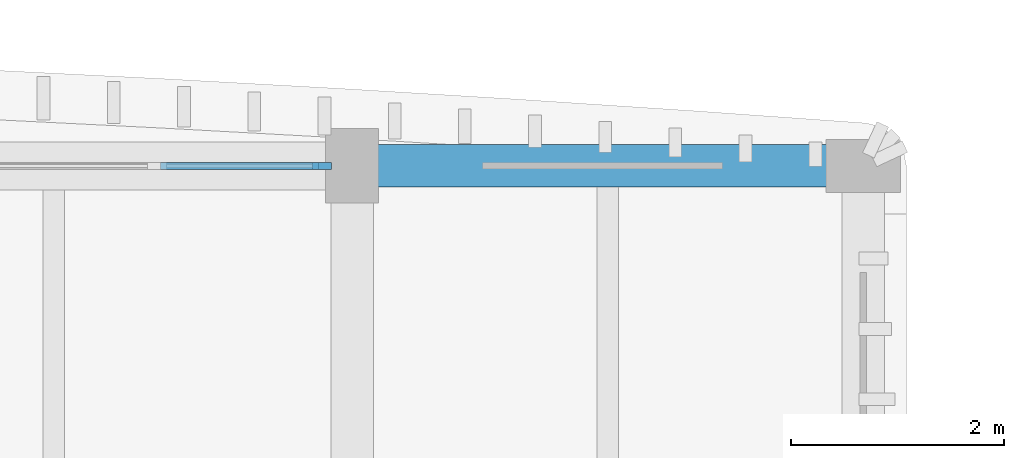
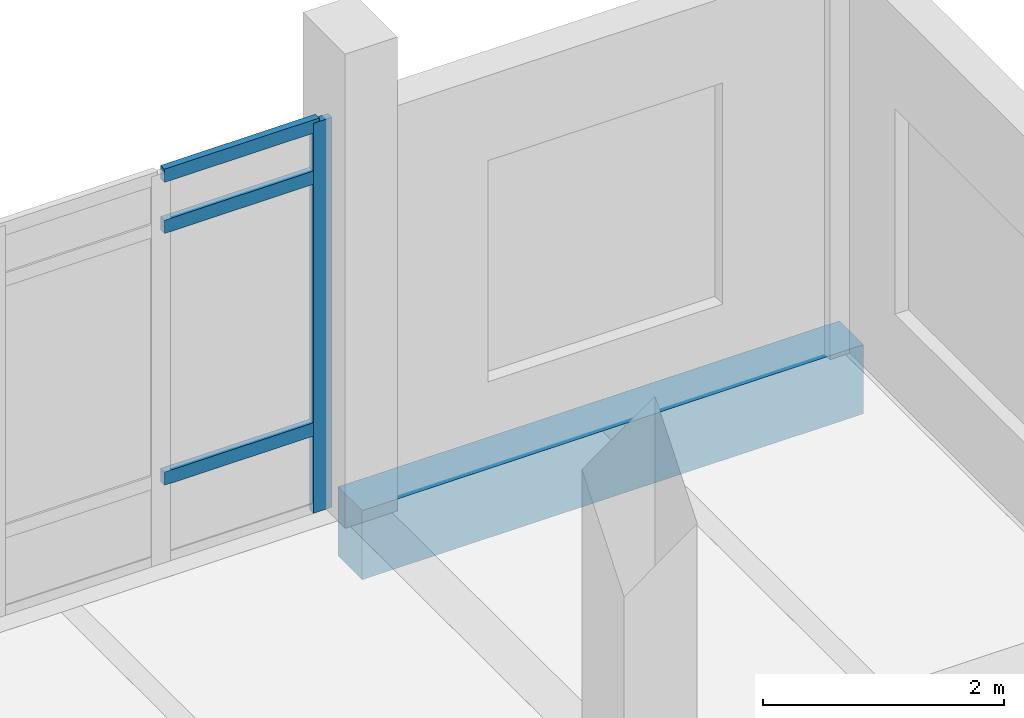
# One storey, part 20 of 76: 4 members, 1 beam, 1 element without a shape of its own.
"""IFC4 building model written with IfcOpenShell, lengths in metres."""

from ifc_helpers import new_model, si_unit, direction, frame, origin, origin_2d, place, context, subcontext, project, spatial, rectangle, extrude, material, material_profile, profile_set, type_object, element, aggregate, save


model = new_model("IFC4")

# Units and contexts
model_context = context("Model", 3, precision=1e-05, world=origin(), true_north=direction((0.0, 1.0)))
body_context = subcontext(model_context, "Body", "Model", "MODEL_VIEW")
ifc_project = project(units=[si_unit("LENGTHUNIT", "METRE"), si_unit("AREAUNIT", "SQUARE_METRE"), si_unit("VOLUMEUNIT", "CUBIC_METRE"), si_unit("PLANEANGLEUNIT", "RADIAN"), si_unit("MASSUNIT", "GRAM", prefix="KILO")], contexts=[model_context])

# Site, building, storey
site_placement = place(None, origin())
site = spatial("IfcSite", under=ifc_project, at=site_placement, CompositionType="ELEMENT")
building_placement = place(site_placement, origin())
building = spatial("IfcBuilding", under=site, at=building_placement, Name="Dornvale Research Institute", CompositionType="ELEMENT")
storey_placement = place(building_placement, frame((0.0, 0.0, 15.0)))
storey = spatial("IfcBuildingStorey", under=building, at=storey_placement, Name="L03", CompositionType="ELEMENT", Elevation=15.0)

# Curtain wall, member
ifc_material_1 = material(Name="Low-E Argon Double Insulating Glazing Unit", Category="glass")
curtain_wall_type = type_object("IfcCurtainWallType", Name="UnitisedCurtainWall_V5_7900x3950", PredefinedType="USERDEFINED", material=ifc_material_1)
curtain_wall_placement = place(storey_placement, origin())
curtain_wall = element("IfcCurtainWall", 1, at=curtain_wall_placement, inside=storey, type_object=curtain_wall_type, Name="L03 V5 unitised curtain wall CW-24 #150", ObjectType="UNITISED CURTAIN WALL", PredefinedType="USERDEFINED")
ifc_material_2 = material(Name="Anodized Aluminum AA 6063-T6 Thermally Broken Frame", Category="aluminium")
ifc_material_profile_1 = material_profile(ifc_material_2, rectangle(XDim=0.06494140625, YDim=0.179931640625, at=origin_2d()), Name="ALU MULLION 65x180")
ifc_profile_set_1 = profile_set([ifc_material_profile_1], Name="Anodized Aluminum AA 6063-T6 Thermally Broken Frame")
member_type_1 = type_object("IfcMemberType", Name="Mullion_CW_65x180", PredefinedType="MULLION", material=ifc_profile_set_1)
member_1_placement = place(storey_placement, frame((41.117431640625, 122.10009765625, 0.0), z_axis=(0.0, 0.0, 1.0), x_axis=(0.0, 1.0, 0.0)))
member_1 = element("IfcMember", 2, at=member_1_placement, type_object=member_type_1, Name="CW-24 mullion 6", PredefinedType="MULLION", context=body_context, shape_type="SweptSolid", body=[
    extrude(rectangle(XDim=0.06494140625, YDim=0.179931640625, at=origin_2d()), origin(), (0.0, 0.0, 1.0), 3.949951171875),
])

# Beam
ifc_material_3 = material(Name="Concrete f'c 45 MPa (C35/45)", Category="concrete")
ifc_material_profile_2 = material_profile(ifc_material_3, rectangle(XDim=0.39990234375, YDim=0.699951171875, at=origin_2d()), Name="RC 400x700")
ifc_profile_set_2 = profile_set([ifc_material_profile_2], Name="Concrete f'c 45 MPa (C35/45)")
beam_type = type_object("IfcBeamType", Name="Spandrel_RC400x700_Ext", PredefinedType="SPANDREL", material=ifc_profile_set_2)
beam_placement = place(storey_placement, frame((41.39990234375, 122.10009765625, -0.35009765625), z_axis=(1.0, 0.0, 0.0), x_axis=(0.0, 1.0, 0.0)))
element("IfcBeam", 3, at=beam_placement, inside=storey, type_object=beam_type, Name="L03 perimeter spandrel #883", PredefinedType="SPANDREL", context=body_context, shape_type="SweptSolid", body=[
    extrude(rectangle(XDim=0.39990234375, YDim=0.699951171875, at=origin_2d()), origin(), (0.0, 0.0, 1.0), 4.800048828125),
])

# Member
ifc_material_4 = material(Name="Anodized Aluminum AA 6063-T6 Thermally Broken Frame", Category="aluminium")
ifc_material_profile_3 = material_profile(ifc_material_4, rectangle(XDim=0.06494140625, YDim=0.135009765625, at=origin_2d()), Name="ALU TRANSOM 65x135")
ifc_profile_set_3 = profile_set([ifc_material_profile_3], Name="Anodized Aluminum AA 6063-T6 Thermally Broken Frame")
member_type_2 = type_object("IfcMemberType", Name="Transom_CW_65x135", PredefinedType="USERDEFINED", material=ifc_profile_set_3)
member_2_placement = place(storey_placement, frame((39.6025390625, 122.10009765625, 0.85009765625), z_axis=(1.0, 0.0, 0.0), x_axis=(0.0, 1.0, 0.0)))
member_2 = element("IfcMember", 4, at=member_2_placement, type_object=member_type_2, Name="CW-24 transom 5.2", ObjectType="TRANSOM", PredefinedType="USERDEFINED", context=body_context, shape_type="SweptSolid", body=[
    extrude(rectangle(XDim=0.06494140625, YDim=0.135009765625, at=origin_2d()), origin(), (0.0, 0.0, 1.0), 1.482421875),
])

member_3_placement = place(storey_placement, frame((39.6025390625, 122.10009765625, 3.39990234375), z_axis=(1.0, 0.0, 0.0), x_axis=(0.0, 1.0, 0.0)))
member_3 = element("IfcMember", 5, at=member_3_placement, type_object=member_type_2, Name="CW-24 transom 5.3", ObjectType="TRANSOM", PredefinedType="USERDEFINED", context=body_context, shape_type="SweptSolid", body=[
    extrude(rectangle(XDim=0.06494140625, YDim=0.135009765625, at=origin_2d()), origin(), (0.0, 0.0, 1.0), 1.482421875),
])

member_4_placement = place(storey_placement, frame((39.6025390625, 122.10009765625, 3.91748046875), z_axis=(1.0, 0.0, 0.0), x_axis=(0.0, 1.0, 0.0)))
member_4 = element("IfcMember", 6, at=member_4_placement, type_object=member_type_2, Name="CW-24 transom 5.4", ObjectType="TRANSOM", PredefinedType="USERDEFINED", context=body_context, shape_type="SweptSolid", body=[
    extrude(rectangle(XDim=0.06494140625, YDim=0.135009765625, at=origin_2d()), origin(), (0.0, 0.0, 1.0), 1.482421875),
])

aggregate(curtain_wall, [member_1, member_2, member_3, member_4])

save(model, "model.ifc")
